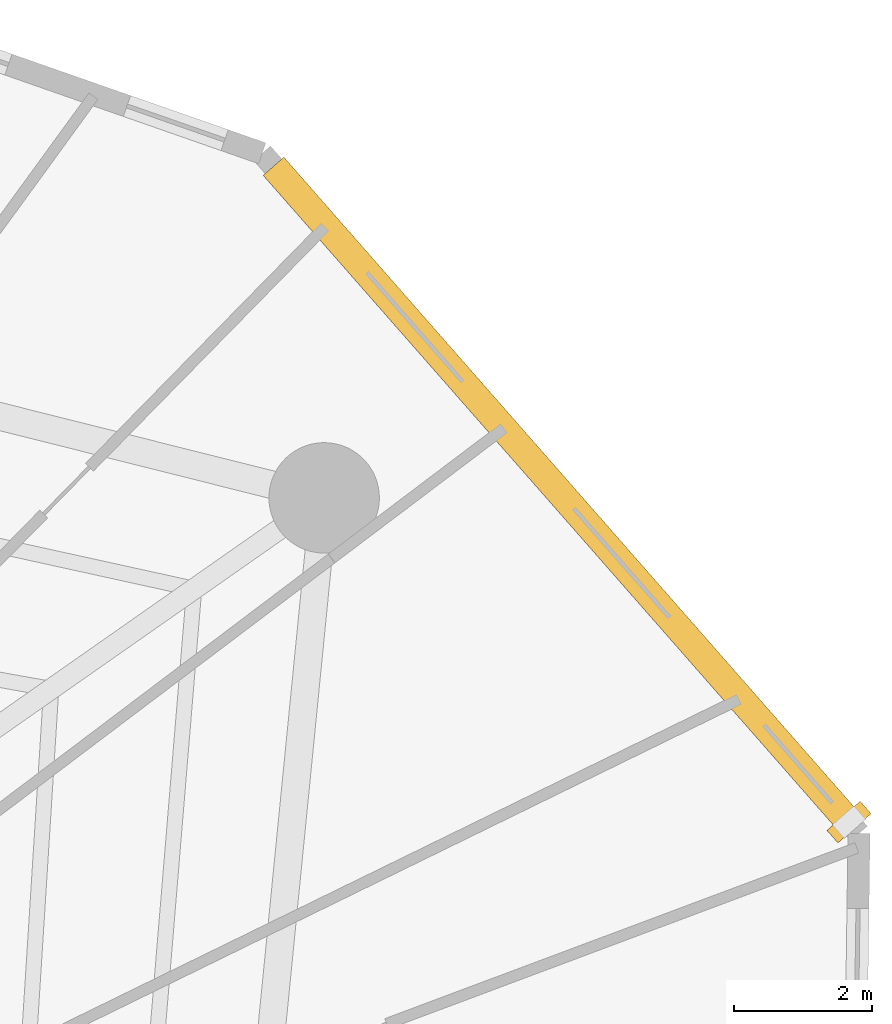
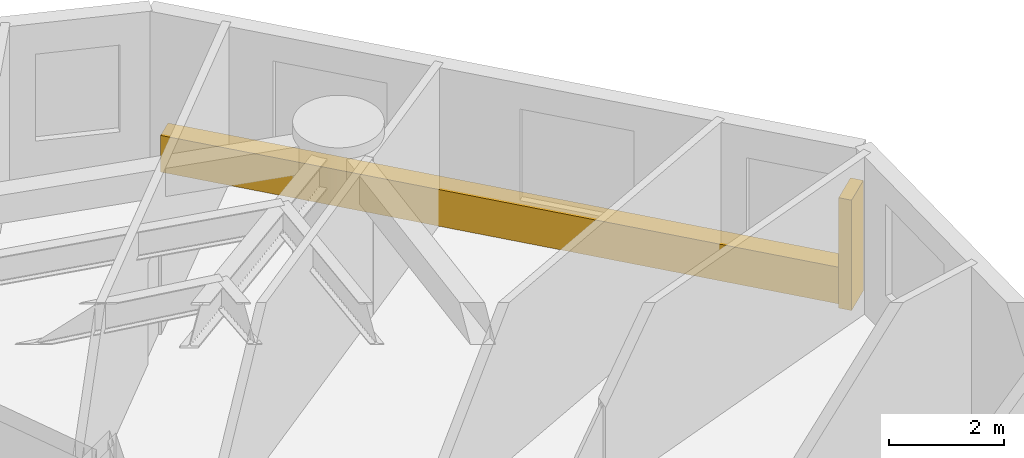
# One storey, part 11 of 11: 1 covering, 1 shading device.
"""IFC4 building model written with IfcOpenShell, lengths in metres."""

from ifc_helpers import new_model, si_unit, direction, frame, origin, origin_with_axes, origin_2d, place, context, subcontext, project, spatial, rectangle, extrude, source, transform, mapped, material, layer, layer_set, type_object, element, save


model = new_model("IFC4")

# Units and contexts
model_context = context("Model", 3, precision=1e-05, world=origin(), true_north=direction((0.0, 1.0)))
body_context = subcontext(model_context, "Body", "Model", "MODEL_VIEW")
ifc_project = project(units=[si_unit("LENGTHUNIT", "METRE"), si_unit("AREAUNIT", "SQUARE_METRE"), si_unit("VOLUMEUNIT", "CUBIC_METRE"), si_unit("PLANEANGLEUNIT", "RADIAN"), si_unit("MASSUNIT", "GRAM", prefix="KILO")], contexts=[model_context])

# Site, building, storey
site_placement = place(None, origin())
site = spatial("IfcSite", under=ifc_project, at=site_placement, CompositionType="ELEMENT")
building_placement = place(site_placement, origin())
building = spatial("IfcBuilding", under=site, at=building_placement, Name="Karkom Vertical University and Central Library", CompositionType="ELEMENT")
storey_placement = place(building_placement, frame((0.0, 0.0, 44.5)))
storey = spatial("IfcBuildingStorey", under=building, at=storey_placement, Name="L11", CompositionType="ELEMENT", Elevation=44.5)

# Shading device
ifc_material_1 = material(Name="Terracotta-clad precast concrete sun-breaker fin C45/55", Category="masonry")
shading_device_type = type_object("IfcShadingDeviceType", Name="ENV-SHD-BRISE", PredefinedType="USERDEFINED", material=ifc_material_1)
shared_shape_1 = source(origin_with_axes(), body_context, "Body", "SweptSolid", [
    extrude(rectangle(XDim=0.239990234375, YDim=0.639892578125, at=origin_2d()), origin(), (0.0, 0.0, 1.0), 2.35009765625),
])
shading_device_placement = place(storey_placement, frame((54.52783203125, 36.5966796875, 0.0), z_axis=(0.0, 0.0, 1.0), x_axis=(-0.659608216527, 0.751609606571, 0.0)))
element("IfcShadingDevice", 1, at=shading_device_placement, inside=storey, type_object=shading_device_type, Name="Level 11 Brutalist Brise-Soleil Fin 09", ObjectType="BRISE SOLEIL", PredefinedType="USERDEFINED", context=body_context, shape_type="MappedRepresentation", body=[
    mapped(shared_shape_1, transform((0.0, 0.0, 0.0), scale=1.0)),
])

# Covering
ifc_material_2 = material(Name="Hand-pressed red-ochre terracotta brick slip cladding", Category="masonry")
ifc_layer = layer(ifc_material_2, 0.090087890625)
ifc_layer_set = layer_set([ifc_layer], Name="Hand-pressed red-ochre terracotta brick slip cladding")
covering_type = type_object("IfcCoveringType", Name="ENV-COV-CLAD", PredefinedType="CLADDING", material=ifc_layer_set)
shared_shape_2 = source(origin_with_axes(), body_context, "Body", "SweptSolid", [
    extrude(rectangle(XDim=12.616943359375, YDim=0.39990234375, at=origin_2d()), origin(), (0.0, 0.0, 1.0), 0.780029296875),
])
covering_placement = place(storey_placement, frame((50.347412109375, 41.36083984375, 0.0), z_axis=(0.0, 0.0, 1.0), x_axis=(-0.659608216527, 0.751609606571, 0.0)))
element("IfcCovering", 2, at=covering_placement, inside=storey, type_object=covering_type, Name="Level 11 Terracotta Spandrel Cladding 09", PredefinedType="CLADDING", context=body_context, shape_type="MappedRepresentation", body=[
    mapped(shared_shape_2, transform((0.0, 0.0, 0.0), scale=1.0)),
])

save(model, "model.ifc")
